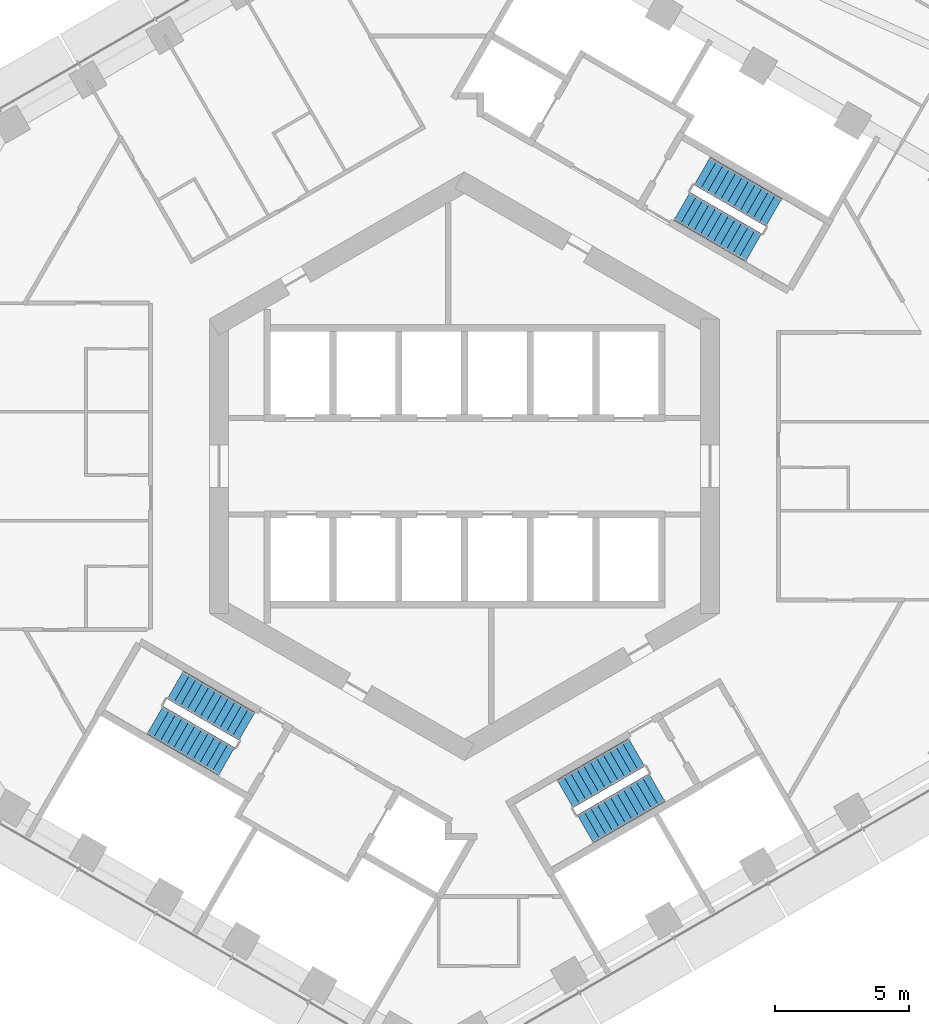
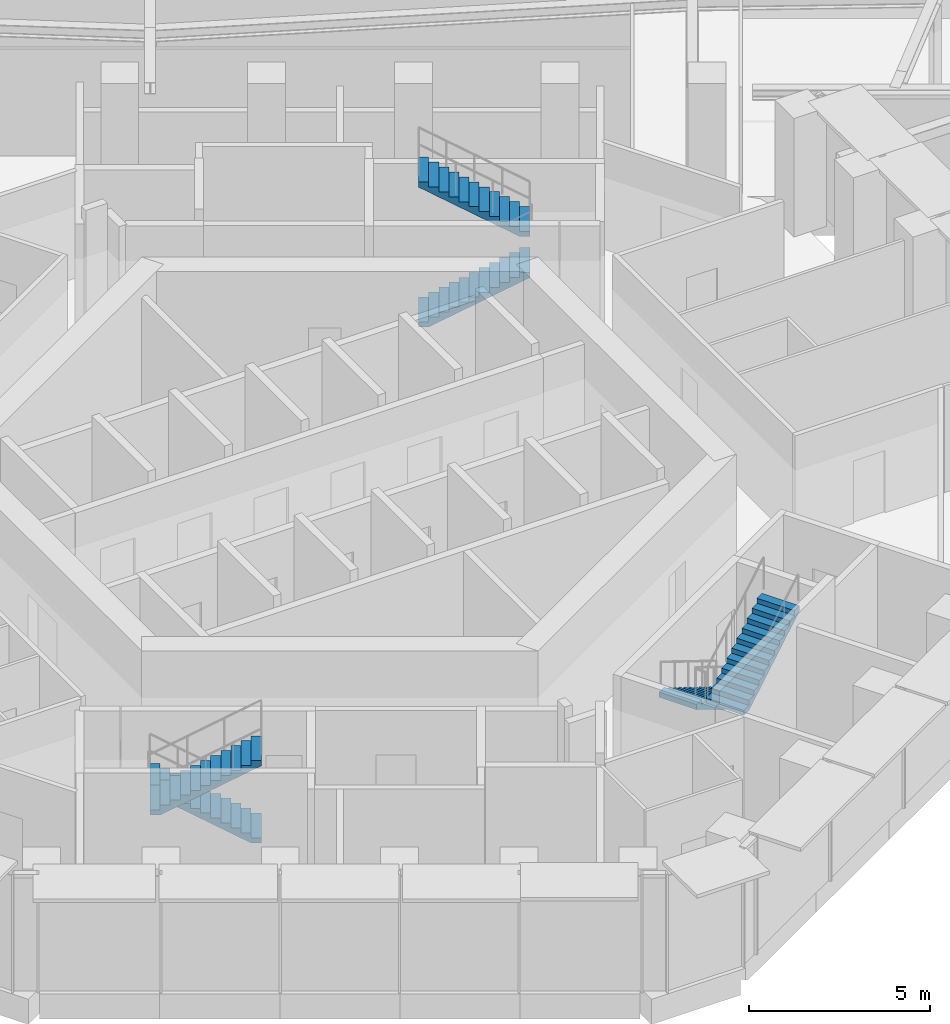
# One storey, part 26 of 28: 6 stair flights, 3 elements without a shape of their own.
"""IFC4 building model written with IfcOpenShell, lengths in metres."""

from ifc_helpers import new_model, si_unit, direction, frame, origin, place, context, subcontext, project, spatial, triangles, material, type_object, element, aggregate, save


model = new_model("IFC4")

# Units and contexts
model_context = context("Model", 3, precision=1e-05, world=origin(), true_north=direction((0.0, 1.0)))
body_context = subcontext(model_context, "Body", "Model", "MODEL_VIEW")
ifc_project = project(units=[si_unit("LENGTHUNIT", "METRE"), si_unit("AREAUNIT", "SQUARE_METRE"), si_unit("VOLUMEUNIT", "CUBIC_METRE"), si_unit("PLANEANGLEUNIT", "RADIAN"), si_unit("MASSUNIT", "GRAM", prefix="KILO")], contexts=[model_context])

# Site, building, storey
site_placement = place(None, origin())
site = spatial("IfcSite", under=ifc_project, at=site_placement, CompositionType="ELEMENT")
building_placement = place(site_placement, origin())
building = spatial("IfcBuilding", under=site, at=building_placement, Name="Ayvan Gate Tower", CompositionType="ELEMENT")
storey_placement = place(building_placement, frame((0.0, 0.0, 143.89990234375)))
storey = spatial("IfcBuildingStorey", under=building, at=storey_placement, Name="L38", CompositionType="ELEMENT", Elevation=143.89990234375)

# Stair, stair flights
ifc_material = material(Name="Concrete C40/50", Category="concrete")
stair_type = type_object("IfcStairType", Name="ST-EXIT", PredefinedType="HALF_TURN_STAIR", material=ifc_material)
stair_1_placement = place(storey_placement, origin())
stair_1 = element("IfcStair", 1, at=stair_1_placement, inside=storey, type_object=stair_type, Name="L38 Exit Stair S1", PredefinedType="HALF_TURN_STAIR")
stair_flight_type = type_object("IfcStairFlightType", Name="SFL-EXIT", PredefinedType="STRAIGHT", material=ifc_material)
stair_flight_1_placement = place(storey_placement, frame((8.106201171875, 9.690185546875, 0.0), z_axis=(0.0, 0.0, 1.0), x_axis=(0.866025403784, -0.5, 0.0)))
stair_flight_1 = element("IfcStairFlight", 2, at=stair_flight_1_placement, type_object=stair_flight_type, Name="STS1 flight 1", NumberOfRisers=12, NumberOfTreads=11, PredefinedType="STRAIGHT", RiserHeight=0.166666667, TreadLength=0.28, context=body_context, shape_type="Tessellation", body=[
    triangles([(0.293073, -0.599976, 0.0), (3.0805, -0.599976, 1.659182), (3.0805, -0.599976, 1.833333), (2.8, -0.599976, 1.833333), (2.8, -0.599976, 1.666667), (2.52, -0.599976, 1.666667), (2.52, -0.599976, 1.5), (2.24, -0.599976, 1.5), (2.24, -0.599976, 1.333333), (1.96, -0.599976, 1.333333), (1.96, -0.599976, 1.166667), (1.68, -0.599976, 1.166667), (1.68, -0.599976, 1.0), (1.4, -0.599976, 1.0), (1.4, -0.599976, 0.833333), (1.12, -0.599976, 0.833333), (1.12, -0.599976, 0.666667), (0.84, -0.599976, 0.666667), (0.84, -0.599976, 0.5), (0.56, -0.599976, 0.5), (0.56, -0.599976, 0.333333), (0.28, -0.599976, 0.333333), (0.28, -0.599976, 0.166667), (-0.0005, -0.599976, 0.166667), (-0.0005, -0.599976, 0.0), (0.293073, 0.0, 0.0), (3.0805, 0.0, 1.659182), (3.0805, 0.0, 1.833333), (2.8, 0.0, 1.833333), (2.8, 0.0, 1.666667), (2.52, 0.0, 1.666667), (2.52, 0.0, 1.5), (2.24, 0.0, 1.5), (2.24, 0.0, 1.333333), (1.96, 0.0, 1.333333), (1.96, 0.0, 1.166667), (1.68, 0.0, 1.166667), (1.68, 0.0, 1.0), (1.4, 0.0, 1.0), (1.4, 0.0, 0.833333), (1.12, 0.0, 0.833333), (1.12, 0.0, 0.666667), (0.84, 0.0, 0.666667), (0.84, 0.0, 0.5), (0.56, 0.0, 0.5), (0.56, 0.0, 0.333333), (0.28, 0.0, 0.333333), (0.28, 0.0, 0.166667), (-0.0005, 0.0, 0.166667), (-0.0005, 0.0, 0.0), (0.293073, 0.599976, 0.0), (3.0805, 0.599976, 1.659182), (3.0805, 0.599976, 1.833333), (2.8, 0.599976, 1.833333), (2.8, 0.599976, 1.666667), (2.52, 0.599976, 1.666667), (2.52, 0.599976, 1.5), (2.24, 0.599976, 1.5), (2.24, 0.599976, 1.333333), (1.96, 0.599976, 1.333333), (1.96, 0.599976, 1.166667), (1.68, 0.599976, 1.166667), (1.68, 0.599976, 1.0), (1.4, 0.599976, 1.0), (1.4, 0.599976, 0.833333), (1.12, 0.599976, 0.833333), (1.12, 0.599976, 0.666667), (0.84, 0.599976, 0.666667), (0.84, 0.599976, 0.5), (0.56, 0.599976, 0.5), (0.56, 0.599976, 0.333333), (0.28, 0.599976, 0.333333), (0.28, 0.599976, 0.166667), (-0.0005, 0.599976, 0.166667), (-0.0005, 0.599976, 0.0)], [[25, 1, 2], [75, 52, 51], [2, 3, 4], [52, 54, 53], [2, 4, 5], [52, 55, 54], [2, 5, 6], [52, 56, 55], [2, 6, 7], [52, 57, 56], [7, 8, 9], [57, 59, 58], [2, 7, 9], [52, 59, 57], [9, 10, 11], [59, 61, 60], [2, 9, 11], [52, 61, 59], [11, 12, 13], [61, 63, 62], [2, 11, 13], [52, 63, 61], [13, 14, 15], [63, 65, 64], [2, 13, 15], [52, 65, 63], [15, 16, 17], [65, 67, 66], [2, 15, 17], [52, 67, 65], [17, 18, 19], [67, 69, 68], [2, 17, 19], [52, 69, 67], [19, 20, 21], [69, 71, 70], [2, 19, 21], [52, 71, 69], [21, 22, 23], [71, 73, 72], [2, 21, 23], [52, 73, 71], [25, 2, 23], [75, 73, 52], [23, 24, 25], [73, 75, 74], [1, 26, 27], [1, 27, 2], [51, 27, 26], [51, 52, 27], [2, 27, 28], [2, 28, 3], [52, 28, 27], [52, 53, 28], [3, 28, 29], [3, 29, 4], [53, 29, 28], [53, 54, 29], [4, 29, 30], [4, 30, 5], [54, 30, 29], [54, 55, 30], [5, 30, 31], [5, 31, 6], [55, 31, 30], [55, 56, 31], [6, 31, 32], [6, 32, 7], [56, 32, 31], [56, 57, 32], [7, 32, 33], [7, 33, 8], [57, 33, 32], [57, 58, 33], [8, 33, 34], [8, 34, 9], [58, 34, 33], [58, 59, 34], [9, 34, 35], [9, 35, 10], [59, 35, 34], [59, 60, 35], [10, 35, 36], [10, 36, 11], [60, 36, 35], [60, 61, 36], [11, 36, 37], [11, 37, 12], [61, 37, 36], [61, 62, 37], [12, 37, 38], [12, 38, 13], [62, 38, 37], [62, 63, 38], [13, 38, 39], [13, 39, 14], [63, 39, 38], [63, 64, 39], [14, 39, 40], [14, 40, 15], [64, 40, 39], [64, 65, 40], [15, 40, 41], [15, 41, 16], [65, 41, 40], [65, 66, 41], [16, 41, 42], [16, 42, 17], [66, 42, 41], [66, 67, 42], [17, 42, 43], [17, 43, 18], [67, 43, 42], [67, 68, 43], [18, 43, 44], [18, 44, 19], [68, 44, 43], [68, 69, 44], [19, 44, 45], [19, 45, 20], [69, 45, 44], [69, 70, 45], [20, 45, 46], [20, 46, 21], [70, 46, 45], [70, 71, 46], [21, 46, 47], [21, 47, 22], [71, 47, 46], [71, 72, 47], [22, 47, 48], [22, 48, 23], [72, 48, 47], [72, 73, 48], [23, 48, 49], [23, 49, 24], [73, 49, 48], [73, 74, 49], [24, 49, 50], [24, 50, 25], [74, 50, 49], [74, 75, 50], [25, 50, 26], [25, 26, 1], [75, 26, 50], [75, 51, 26]], closed=True),
])
stair_flight_2_placement = place(storey_placement, frame((11.528564453125, 9.457763671875, 2.0), z_axis=(0.0, 0.0, 1.0), x_axis=(-0.866025403784, 0.5, 0.0)))
stair_flight_2 = element("IfcStairFlight", 3, at=stair_flight_2_placement, type_object=stair_flight_type, Name="STS1 flight 2", NumberOfRisers=12, NumberOfTreads=11, PredefinedType="STRAIGHT", RiserHeight=0.166666667, TreadLength=0.28, context=body_context, shape_type="Tessellation", body=[
    triangles([(0.293073, -0.599976, 0.0), (3.0805, -0.599976, 1.659182), (3.0805, -0.599976, 1.833333), (2.8, -0.599976, 1.833333), (2.8, -0.599976, 1.666667), (2.52, -0.599976, 1.666667), (2.52, -0.599976, 1.5), (2.24, -0.599976, 1.5), (2.24, -0.599976, 1.333333), (1.96, -0.599976, 1.333333), (1.96, -0.599976, 1.166667), (1.68, -0.599976, 1.166667), (1.68, -0.599976, 1.0), (1.4, -0.599976, 1.0), (1.4, -0.599976, 0.833333), (1.12, -0.599976, 0.833333), (1.12, -0.599976, 0.666667), (0.84, -0.599976, 0.666667), (0.84, -0.599976, 0.5), (0.56, -0.599976, 0.5), (0.56, -0.599976, 0.333333), (0.28, -0.599976, 0.333333), (0.28, -0.599976, 0.166667), (-0.0005, -0.599976, 0.166667), (-0.0005, -0.599976, 0.0), (0.293073, 0.0, 0.0), (3.0805, 0.0, 1.659182), (3.0805, 0.0, 1.833333), (2.8, 0.0, 1.833333), (2.8, 0.0, 1.666667), (2.52, 0.0, 1.666667), (2.52, 0.0, 1.5), (2.24, 0.0, 1.5), (2.24, 0.0, 1.333333), (1.96, 0.0, 1.333333), (1.96, 0.0, 1.166667), (1.68, 0.0, 1.166667), (1.68, 0.0, 1.0), (1.4, 0.0, 1.0), (1.4, 0.0, 0.833333), (1.12, 0.0, 0.833333), (1.12, 0.0, 0.666667), (0.84, 0.0, 0.666667), (0.84, 0.0, 0.5), (0.56, 0.0, 0.5), (0.56, 0.0, 0.333333), (0.28, 0.0, 0.333333), (0.28, 0.0, 0.166667), (-0.0005, 0.0, 0.166667), (-0.0005, 0.0, 0.0), (0.293073, 0.599976, 0.0), (3.0805, 0.599976, 1.659182), (3.0805, 0.599976, 1.833333), (2.8, 0.599976, 1.833333), (2.8, 0.599976, 1.666667), (2.52, 0.599976, 1.666667), (2.52, 0.599976, 1.5), (2.24, 0.599976, 1.5), (2.24, 0.599976, 1.333333), (1.96, 0.599976, 1.333333), (1.96, 0.599976, 1.166667), (1.68, 0.599976, 1.166667), (1.68, 0.599976, 1.0), (1.4, 0.599976, 1.0), (1.4, 0.599976, 0.833333), (1.12, 0.599976, 0.833333), (1.12, 0.599976, 0.666667), (0.84, 0.599976, 0.666667), (0.84, 0.599976, 0.5), (0.56, 0.599976, 0.5), (0.56, 0.599976, 0.333333), (0.28, 0.599976, 0.333333), (0.28, 0.599976, 0.166667), (-0.0005, 0.599976, 0.166667), (-0.0005, 0.599976, 0.0)], [[25, 1, 2], [75, 52, 51], [2, 3, 4], [52, 54, 53], [2, 4, 5], [52, 55, 54], [2, 5, 6], [52, 56, 55], [2, 6, 7], [52, 57, 56], [7, 8, 9], [57, 59, 58], [2, 7, 9], [52, 59, 57], [9, 10, 11], [59, 61, 60], [2, 9, 11], [52, 61, 59], [11, 12, 13], [61, 63, 62], [2, 11, 13], [52, 63, 61], [13, 14, 15], [63, 65, 64], [2, 13, 15], [52, 65, 63], [15, 16, 17], [65, 67, 66], [2, 15, 17], [52, 67, 65], [17, 18, 19], [67, 69, 68], [2, 17, 19], [52, 69, 67], [19, 20, 21], [69, 71, 70], [2, 19, 21], [52, 71, 69], [21, 22, 23], [71, 73, 72], [2, 21, 23], [52, 73, 71], [25, 2, 23], [75, 73, 52], [23, 24, 25], [73, 75, 74], [1, 26, 27], [1, 27, 2], [51, 27, 26], [51, 52, 27], [2, 27, 28], [2, 28, 3], [52, 28, 27], [52, 53, 28], [3, 28, 29], [3, 29, 4], [53, 29, 28], [53, 54, 29], [4, 29, 30], [4, 30, 5], [54, 30, 29], [54, 55, 30], [5, 30, 31], [5, 31, 6], [55, 31, 30], [55, 56, 31], [6, 31, 32], [6, 32, 7], [56, 32, 31], [56, 57, 32], [7, 32, 33], [7, 33, 8], [57, 33, 32], [57, 58, 33], [8, 33, 34], [8, 34, 9], [58, 34, 33], [58, 59, 34], [9, 34, 35], [9, 35, 10], [59, 35, 34], [59, 60, 35], [10, 35, 36], [10, 36, 11], [60, 36, 35], [60, 61, 36], [11, 36, 37], [11, 37, 12], [61, 37, 36], [61, 62, 37], [12, 37, 38], [12, 38, 13], [62, 38, 37], [62, 63, 38], [13, 38, 39], [13, 39, 14], [63, 39, 38], [63, 64, 39], [14, 39, 40], [14, 40, 15], [64, 40, 39], [64, 65, 40], [15, 40, 41], [15, 41, 16], [65, 41, 40], [65, 66, 41], [16, 41, 42], [16, 42, 17], [66, 42, 41], [66, 67, 42], [17, 42, 43], [17, 43, 18], [67, 43, 42], [67, 68, 43], [18, 43, 44], [18, 44, 19], [68, 44, 43], [68, 69, 44], [19, 44, 45], [19, 45, 20], [69, 45, 44], [69, 70, 45], [20, 45, 46], [20, 46, 21], [70, 46, 45], [70, 71, 46], [21, 46, 47], [21, 47, 22], [71, 47, 46], [71, 72, 47], [22, 47, 48], [22, 48, 23], [72, 48, 47], [72, 73, 48], [23, 48, 49], [23, 49, 24], [73, 49, 48], [73, 74, 49], [24, 49, 50], [24, 50, 25], [74, 50, 49], [74, 75, 50], [25, 50, 26], [25, 26, 1], [75, 26, 50], [75, 51, 26]], closed=True),
])
aggregate(stair_1, [stair_flight_1, stair_flight_2])

stair_2_placement = place(storey_placement, origin())
stair_2 = element("IfcStair", 4, at=stair_2_placement, inside=storey, type_object=stair_type, Name="L38 Exit Stair S2", PredefinedType="HALF_TURN_STAIR")
stair_flight_3_placement = place(storey_placement, frame((-8.106201171875, -9.690185546875, 0.0), z_axis=(0.0, 0.0, 1.0), x_axis=(-0.866025403784, 0.5, 0.0)))
stair_flight_3 = element("IfcStairFlight", 5, at=stair_flight_3_placement, type_object=stair_flight_type, Name="STS2 flight 1", NumberOfRisers=12, NumberOfTreads=11, PredefinedType="STRAIGHT", RiserHeight=0.166666667, TreadLength=0.28, context=body_context, shape_type="Tessellation", body=[
    triangles([(0.293073, -0.599976, 0.0), (3.0805, -0.599976, 1.659182), (3.0805, -0.599976, 1.833333), (2.8, -0.599976, 1.833333), (2.8, -0.599976, 1.666667), (2.52, -0.599976, 1.666667), (2.52, -0.599976, 1.5), (2.24, -0.599976, 1.5), (2.24, -0.599976, 1.333333), (1.96, -0.599976, 1.333333), (1.96, -0.599976, 1.166667), (1.68, -0.599976, 1.166667), (1.68, -0.599976, 1.0), (1.4, -0.599976, 1.0), (1.4, -0.599976, 0.833333), (1.12, -0.599976, 0.833333), (1.12, -0.599976, 0.666667), (0.84, -0.599976, 0.666667), (0.84, -0.599976, 0.5), (0.56, -0.599976, 0.5), (0.56, -0.599976, 0.333333), (0.28, -0.599976, 0.333333), (0.28, -0.599976, 0.166667), (-0.0005, -0.599976, 0.166667), (-0.0005, -0.599976, 0.0), (0.293073, 0.0, 0.0), (3.0805, 0.0, 1.659182), (3.0805, 0.0, 1.833333), (2.8, 0.0, 1.833333), (2.8, 0.0, 1.666667), (2.52, 0.0, 1.666667), (2.52, 0.0, 1.5), (2.24, 0.0, 1.5), (2.24, 0.0, 1.333333), (1.96, 0.0, 1.333333), (1.96, 0.0, 1.166667), (1.68, 0.0, 1.166667), (1.68, 0.0, 1.0), (1.4, 0.0, 1.0), (1.4, 0.0, 0.833333), (1.12, 0.0, 0.833333), (1.12, 0.0, 0.666667), (0.84, 0.0, 0.666667), (0.84, 0.0, 0.5), (0.56, 0.0, 0.5), (0.56, 0.0, 0.333333), (0.28, 0.0, 0.333333), (0.28, 0.0, 0.166667), (-0.0005, 0.0, 0.166667), (-0.0005, 0.0, 0.0), (0.293073, 0.599976, 0.0), (3.0805, 0.599976, 1.659182), (3.0805, 0.599976, 1.833333), (2.8, 0.599976, 1.833333), (2.8, 0.599976, 1.666667), (2.52, 0.599976, 1.666667), (2.52, 0.599976, 1.5), (2.24, 0.599976, 1.5), (2.24, 0.599976, 1.333333), (1.96, 0.599976, 1.333333), (1.96, 0.599976, 1.166667), (1.68, 0.599976, 1.166667), (1.68, 0.599976, 1.0), (1.4, 0.599976, 1.0), (1.4, 0.599976, 0.833333), (1.12, 0.599976, 0.833333), (1.12, 0.599976, 0.666667), (0.84, 0.599976, 0.666667), (0.84, 0.599976, 0.5), (0.56, 0.599976, 0.5), (0.56, 0.599976, 0.333333), (0.28, 0.599976, 0.333333), (0.28, 0.599976, 0.166667), (-0.0005, 0.599976, 0.166667), (-0.0005, 0.599976, 0.0)], [[25, 1, 2], [75, 52, 51], [2, 3, 4], [52, 54, 53], [2, 4, 5], [52, 55, 54], [2, 5, 6], [52, 56, 55], [2, 6, 7], [52, 57, 56], [7, 8, 9], [57, 59, 58], [2, 7, 9], [52, 59, 57], [9, 10, 11], [59, 61, 60], [2, 9, 11], [52, 61, 59], [11, 12, 13], [61, 63, 62], [2, 11, 13], [52, 63, 61], [13, 14, 15], [63, 65, 64], [2, 13, 15], [52, 65, 63], [15, 16, 17], [65, 67, 66], [2, 15, 17], [52, 67, 65], [17, 18, 19], [67, 69, 68], [2, 17, 19], [52, 69, 67], [19, 20, 21], [69, 71, 70], [2, 19, 21], [52, 71, 69], [21, 22, 23], [71, 73, 72], [2, 21, 23], [52, 73, 71], [25, 2, 23], [75, 73, 52], [23, 24, 25], [73, 75, 74], [1, 26, 27], [1, 27, 2], [51, 27, 26], [51, 52, 27], [2, 27, 28], [2, 28, 3], [52, 28, 27], [52, 53, 28], [3, 28, 29], [3, 29, 4], [53, 29, 28], [53, 54, 29], [4, 29, 30], [4, 30, 5], [54, 30, 29], [54, 55, 30], [5, 30, 31], [5, 31, 6], [55, 31, 30], [55, 56, 31], [6, 31, 32], [6, 32, 7], [56, 32, 31], [56, 57, 32], [7, 32, 33], [7, 33, 8], [57, 33, 32], [57, 58, 33], [8, 33, 34], [8, 34, 9], [58, 34, 33], [58, 59, 34], [9, 34, 35], [9, 35, 10], [59, 35, 34], [59, 60, 35], [10, 35, 36], [10, 36, 11], [60, 36, 35], [60, 61, 36], [11, 36, 37], [11, 37, 12], [61, 37, 36], [61, 62, 37], [12, 37, 38], [12, 38, 13], [62, 38, 37], [62, 63, 38], [13, 38, 39], [13, 39, 14], [63, 39, 38], [63, 64, 39], [14, 39, 40], [14, 40, 15], [64, 40, 39], [64, 65, 40], [15, 40, 41], [15, 41, 16], [65, 41, 40], [65, 66, 41], [16, 41, 42], [16, 42, 17], [66, 42, 41], [66, 67, 42], [17, 42, 43], [17, 43, 18], [67, 43, 42], [67, 68, 43], [18, 43, 44], [18, 44, 19], [68, 44, 43], [68, 69, 44], [19, 44, 45], [19, 45, 20], [69, 45, 44], [69, 70, 45], [20, 45, 46], [20, 46, 21], [70, 46, 45], [70, 71, 46], [21, 46, 47], [21, 47, 22], [71, 47, 46], [71, 72, 47], [22, 47, 48], [22, 48, 23], [72, 48, 47], [72, 73, 48], [23, 48, 49], [23, 49, 24], [73, 49, 48], [73, 74, 49], [24, 49, 50], [24, 50, 25], [74, 50, 49], [74, 75, 50], [25, 50, 26], [25, 26, 1], [75, 26, 50], [75, 51, 26]], closed=True),
])
stair_flight_4_placement = place(storey_placement, frame((-11.528564453125, -9.457763671875, 2.0), z_axis=(0.0, 0.0, 1.0), x_axis=(0.866025403784, -0.5, 0.0)))
stair_flight_4 = element("IfcStairFlight", 6, at=stair_flight_4_placement, type_object=stair_flight_type, Name="STS2 flight 2", NumberOfRisers=12, NumberOfTreads=11, PredefinedType="STRAIGHT", RiserHeight=0.166666667, TreadLength=0.28, context=body_context, shape_type="Tessellation", body=[
    triangles([(0.293073, -0.599976, 0.0), (3.0805, -0.599976, 1.659182), (3.0805, -0.599976, 1.833333), (2.8, -0.599976, 1.833333), (2.8, -0.599976, 1.666667), (2.52, -0.599976, 1.666667), (2.52, -0.599976, 1.5), (2.24, -0.599976, 1.5), (2.24, -0.599976, 1.333333), (1.96, -0.599976, 1.333333), (1.96, -0.599976, 1.166667), (1.68, -0.599976, 1.166667), (1.68, -0.599976, 1.0), (1.4, -0.599976, 1.0), (1.4, -0.599976, 0.833333), (1.12, -0.599976, 0.833333), (1.12, -0.599976, 0.666667), (0.84, -0.599976, 0.666667), (0.84, -0.599976, 0.5), (0.56, -0.599976, 0.5), (0.56, -0.599976, 0.333333), (0.28, -0.599976, 0.333333), (0.28, -0.599976, 0.166667), (-0.0005, -0.599976, 0.166667), (-0.0005, -0.599976, 0.0), (0.293073, 0.0, 0.0), (3.0805, 0.0, 1.659182), (3.0805, 0.0, 1.833333), (2.8, 0.0, 1.833333), (2.8, 0.0, 1.666667), (2.52, 0.0, 1.666667), (2.52, 0.0, 1.5), (2.24, 0.0, 1.5), (2.24, 0.0, 1.333333), (1.96, 0.0, 1.333333), (1.96, 0.0, 1.166667), (1.68, 0.0, 1.166667), (1.68, 0.0, 1.0), (1.4, 0.0, 1.0), (1.4, 0.0, 0.833333), (1.12, 0.0, 0.833333), (1.12, 0.0, 0.666667), (0.84, 0.0, 0.666667), (0.84, 0.0, 0.5), (0.56, 0.0, 0.5), (0.56, 0.0, 0.333333), (0.28, 0.0, 0.333333), (0.28, 0.0, 0.166667), (-0.0005, 0.0, 0.166667), (-0.0005, 0.0, 0.0), (0.293073, 0.599976, 0.0), (3.0805, 0.599976, 1.659182), (3.0805, 0.599976, 1.833333), (2.8, 0.599976, 1.833333), (2.8, 0.599976, 1.666667), (2.52, 0.599976, 1.666667), (2.52, 0.599976, 1.5), (2.24, 0.599976, 1.5), (2.24, 0.599976, 1.333333), (1.96, 0.599976, 1.333333), (1.96, 0.599976, 1.166667), (1.68, 0.599976, 1.166667), (1.68, 0.599976, 1.0), (1.4, 0.599976, 1.0), (1.4, 0.599976, 0.833333), (1.12, 0.599976, 0.833333), (1.12, 0.599976, 0.666667), (0.84, 0.599976, 0.666667), (0.84, 0.599976, 0.5), (0.56, 0.599976, 0.5), (0.56, 0.599976, 0.333333), (0.28, 0.599976, 0.333333), (0.28, 0.599976, 0.166667), (-0.0005, 0.599976, 0.166667), (-0.0005, 0.599976, 0.0)], [[25, 1, 2], [75, 52, 51], [2, 3, 4], [52, 54, 53], [2, 4, 5], [52, 55, 54], [2, 5, 6], [52, 56, 55], [2, 6, 7], [52, 57, 56], [7, 8, 9], [57, 59, 58], [2, 7, 9], [52, 59, 57], [9, 10, 11], [59, 61, 60], [2, 9, 11], [52, 61, 59], [11, 12, 13], [61, 63, 62], [2, 11, 13], [52, 63, 61], [13, 14, 15], [63, 65, 64], [2, 13, 15], [52, 65, 63], [15, 16, 17], [65, 67, 66], [2, 15, 17], [52, 67, 65], [17, 18, 19], [67, 69, 68], [2, 17, 19], [52, 69, 67], [19, 20, 21], [69, 71, 70], [2, 19, 21], [52, 71, 69], [21, 22, 23], [71, 73, 72], [2, 21, 23], [52, 73, 71], [25, 2, 23], [75, 73, 52], [23, 24, 25], [73, 75, 74], [1, 26, 27], [1, 27, 2], [51, 27, 26], [51, 52, 27], [2, 27, 28], [2, 28, 3], [52, 28, 27], [52, 53, 28], [3, 28, 29], [3, 29, 4], [53, 29, 28], [53, 54, 29], [4, 29, 30], [4, 30, 5], [54, 30, 29], [54, 55, 30], [5, 30, 31], [5, 31, 6], [55, 31, 30], [55, 56, 31], [6, 31, 32], [6, 32, 7], [56, 32, 31], [56, 57, 32], [7, 32, 33], [7, 33, 8], [57, 33, 32], [57, 58, 33], [8, 33, 34], [8, 34, 9], [58, 34, 33], [58, 59, 34], [9, 34, 35], [9, 35, 10], [59, 35, 34], [59, 60, 35], [10, 35, 36], [10, 36, 11], [60, 36, 35], [60, 61, 36], [11, 36, 37], [11, 37, 12], [61, 37, 36], [61, 62, 37], [12, 37, 38], [12, 38, 13], [62, 38, 37], [62, 63, 38], [13, 38, 39], [13, 39, 14], [63, 39, 38], [63, 64, 39], [14, 39, 40], [14, 40, 15], [64, 40, 39], [64, 65, 40], [15, 40, 41], [15, 41, 16], [65, 41, 40], [65, 66, 41], [16, 41, 42], [16, 42, 17], [66, 42, 41], [66, 67, 42], [17, 42, 43], [17, 43, 18], [67, 43, 42], [67, 68, 43], [18, 43, 44], [18, 44, 19], [68, 44, 43], [68, 69, 44], [19, 44, 45], [19, 45, 20], [69, 45, 44], [69, 70, 45], [20, 45, 46], [20, 46, 21], [70, 46, 45], [70, 71, 46], [21, 46, 47], [21, 47, 22], [71, 47, 46], [71, 72, 47], [22, 47, 48], [22, 48, 23], [72, 48, 47], [72, 73, 48], [23, 48, 49], [23, 49, 24], [73, 49, 48], [73, 74, 49], [24, 49, 50], [24, 50, 25], [74, 50, 49], [74, 75, 50], [25, 50, 26], [25, 26, 1], [75, 26, 50], [75, 51, 26]], closed=True),
])
aggregate(stair_2, [stair_flight_3, stair_flight_4])

stair_3_placement = place(storey_placement, origin())
stair_3 = element("IfcStair", 7, at=stair_3_placement, inside=storey, type_object=stair_type, Name="L38 Exit Stair S3", PredefinedType="HALF_TURN_STAIR")
stair_flight_5_placement = place(storey_placement, frame((6.417236328125, -10.665283203125, 0.0), z_axis=(0.0, 0.0, 1.0), x_axis=(-0.866025403784, -0.5, 0.0)))
stair_flight_5 = element("IfcStairFlight", 8, at=stair_flight_5_placement, type_object=stair_flight_type, Name="STS3 flight 1", NumberOfRisers=12, NumberOfTreads=11, PredefinedType="STRAIGHT", RiserHeight=0.166666667, TreadLength=0.28, context=body_context, shape_type="Tessellation", body=[
    triangles([(0.293073, -0.599976, 0.0), (3.0805, -0.599976, 1.659182), (3.0805, -0.599976, 1.833333), (2.8, -0.599976, 1.833333), (2.8, -0.599976, 1.666667), (2.52, -0.599976, 1.666667), (2.52, -0.599976, 1.5), (2.24, -0.599976, 1.5), (2.24, -0.599976, 1.333333), (1.96, -0.599976, 1.333333), (1.96, -0.599976, 1.166667), (1.68, -0.599976, 1.166667), (1.68, -0.599976, 1.0), (1.4, -0.599976, 1.0), (1.4, -0.599976, 0.833333), (1.12, -0.599976, 0.833333), (1.12, -0.599976, 0.666667), (0.84, -0.599976, 0.666667), (0.84, -0.599976, 0.5), (0.56, -0.599976, 0.5), (0.56, -0.599976, 0.333333), (0.28, -0.599976, 0.333333), (0.28, -0.599976, 0.166667), (-0.0005, -0.599976, 0.166667), (-0.0005, -0.599976, 0.0), (0.293073, 0.0, 0.0), (3.0805, 0.0, 1.659182), (3.0805, 0.0, 1.833333), (2.8, 0.0, 1.833333), (2.8, 0.0, 1.666667), (2.52, 0.0, 1.666667), (2.52, 0.0, 1.5), (2.24, 0.0, 1.5), (2.24, 0.0, 1.333333), (1.96, 0.0, 1.333333), (1.96, 0.0, 1.166667), (1.68, 0.0, 1.166667), (1.68, 0.0, 1.0), (1.4, 0.0, 1.0), (1.4, 0.0, 0.833333), (1.12, 0.0, 0.833333), (1.12, 0.0, 0.666667), (0.84, 0.0, 0.666667), (0.84, 0.0, 0.5), (0.56, 0.0, 0.5), (0.56, 0.0, 0.333333), (0.28, 0.0, 0.333333), (0.28, 0.0, 0.166667), (-0.0005, 0.0, 0.166667), (-0.0005, 0.0, 0.0), (0.293073, 0.599976, 0.0), (3.0805, 0.599976, 1.659182), (3.0805, 0.599976, 1.833333), (2.8, 0.599976, 1.833333), (2.8, 0.599976, 1.666667), (2.52, 0.599976, 1.666667), (2.52, 0.599976, 1.5), (2.24, 0.599976, 1.5), (2.24, 0.599976, 1.333333), (1.96, 0.599976, 1.333333), (1.96, 0.599976, 1.166667), (1.68, 0.599976, 1.166667), (1.68, 0.599976, 1.0), (1.4, 0.599976, 1.0), (1.4, 0.599976, 0.833333), (1.12, 0.599976, 0.833333), (1.12, 0.599976, 0.666667), (0.84, 0.599976, 0.666667), (0.84, 0.599976, 0.5), (0.56, 0.599976, 0.5), (0.56, 0.599976, 0.333333), (0.28, 0.599976, 0.333333), (0.28, 0.599976, 0.166667), (-0.0005, 0.599976, 0.166667), (-0.0005, 0.599976, 0.0)], [[25, 1, 2], [75, 52, 51], [2, 3, 4], [52, 54, 53], [2, 4, 5], [52, 55, 54], [2, 5, 6], [52, 56, 55], [2, 6, 7], [52, 57, 56], [7, 8, 9], [57, 59, 58], [2, 7, 9], [52, 59, 57], [9, 10, 11], [59, 61, 60], [2, 9, 11], [52, 61, 59], [11, 12, 13], [61, 63, 62], [2, 11, 13], [52, 63, 61], [13, 14, 15], [63, 65, 64], [2, 13, 15], [52, 65, 63], [15, 16, 17], [65, 67, 66], [2, 15, 17], [52, 67, 65], [17, 18, 19], [67, 69, 68], [2, 17, 19], [52, 69, 67], [19, 20, 21], [69, 71, 70], [2, 19, 21], [52, 71, 69], [21, 22, 23], [71, 73, 72], [2, 21, 23], [52, 73, 71], [25, 2, 23], [75, 73, 52], [23, 24, 25], [73, 75, 74], [1, 26, 27], [1, 27, 2], [51, 27, 26], [51, 52, 27], [2, 27, 28], [2, 28, 3], [52, 28, 27], [52, 53, 28], [3, 28, 29], [3, 29, 4], [53, 29, 28], [53, 54, 29], [4, 29, 30], [4, 30, 5], [54, 30, 29], [54, 55, 30], [5, 30, 31], [5, 31, 6], [55, 31, 30], [55, 56, 31], [6, 31, 32], [6, 32, 7], [56, 32, 31], [56, 57, 32], [7, 32, 33], [7, 33, 8], [57, 33, 32], [57, 58, 33], [8, 33, 34], [8, 34, 9], [58, 34, 33], [58, 59, 34], [9, 34, 35], [9, 35, 10], [59, 35, 34], [59, 60, 35], [10, 35, 36], [10, 36, 11], [60, 36, 35], [60, 61, 36], [11, 36, 37], [11, 37, 12], [61, 37, 36], [61, 62, 37], [12, 37, 38], [12, 38, 13], [62, 38, 37], [62, 63, 38], [13, 38, 39], [13, 39, 14], [63, 39, 38], [63, 64, 39], [14, 39, 40], [14, 40, 15], [64, 40, 39], [64, 65, 40], [15, 40, 41], [15, 41, 16], [65, 41, 40], [65, 66, 41], [16, 41, 42], [16, 42, 17], [66, 42, 41], [66, 67, 42], [17, 42, 43], [17, 43, 18], [67, 43, 42], [67, 68, 43], [18, 43, 44], [18, 44, 19], [68, 44, 43], [68, 69, 44], [19, 44, 45], [19, 45, 20], [69, 45, 44], [69, 70, 45], [20, 45, 46], [20, 46, 21], [70, 46, 45], [70, 71, 46], [21, 46, 47], [21, 47, 22], [71, 47, 46], [71, 72, 47], [22, 47, 48], [22, 48, 23], [72, 48, 47], [72, 73, 48], [23, 48, 49], [23, 49, 24], [73, 49, 48], [73, 74, 49], [24, 49, 50], [24, 50, 25], [74, 50, 49], [74, 75, 50], [25, 50, 26], [25, 26, 1], [75, 26, 50], [75, 51, 26]], closed=True),
])
stair_flight_6_placement = place(storey_placement, frame((4.5048828125, -13.512939453125, 2.0), z_axis=(0.0, 0.0, 1.0), x_axis=(0.866025403784, 0.5, 0.0)))
stair_flight_6 = element("IfcStairFlight", 9, at=stair_flight_6_placement, type_object=stair_flight_type, Name="STS3 flight 2", NumberOfRisers=12, NumberOfTreads=11, PredefinedType="STRAIGHT", RiserHeight=0.166666667, TreadLength=0.28, context=body_context, shape_type="Tessellation", body=[
    triangles([(0.293073, -0.599976, 0.0), (3.0805, -0.599976, 1.659182), (3.0805, -0.599976, 1.833333), (2.8, -0.599976, 1.833333), (2.8, -0.599976, 1.666667), (2.52, -0.599976, 1.666667), (2.52, -0.599976, 1.5), (2.24, -0.599976, 1.5), (2.24, -0.599976, 1.333333), (1.96, -0.599976, 1.333333), (1.96, -0.599976, 1.166667), (1.68, -0.599976, 1.166667), (1.68, -0.599976, 1.0), (1.4, -0.599976, 1.0), (1.4, -0.599976, 0.833333), (1.12, -0.599976, 0.833333), (1.12, -0.599976, 0.666667), (0.84, -0.599976, 0.666667), (0.84, -0.599976, 0.5), (0.56, -0.599976, 0.5), (0.56, -0.599976, 0.333333), (0.28, -0.599976, 0.333333), (0.28, -0.599976, 0.166667), (-0.0005, -0.599976, 0.166667), (-0.0005, -0.599976, 0.0), (0.293073, 0.0, 0.0), (3.0805, 0.0, 1.659182), (3.0805, 0.0, 1.833333), (2.8, 0.0, 1.833333), (2.8, 0.0, 1.666667), (2.52, 0.0, 1.666667), (2.52, 0.0, 1.5), (2.24, 0.0, 1.5), (2.24, 0.0, 1.333333), (1.96, 0.0, 1.333333), (1.96, 0.0, 1.166667), (1.68, 0.0, 1.166667), (1.68, 0.0, 1.0), (1.4, 0.0, 1.0), (1.4, 0.0, 0.833333), (1.12, 0.0, 0.833333), (1.12, 0.0, 0.666667), (0.84, 0.0, 0.666667), (0.84, 0.0, 0.5), (0.56, 0.0, 0.5), (0.56, 0.0, 0.333333), (0.28, 0.0, 0.333333), (0.28, 0.0, 0.166667), (-0.0005, 0.0, 0.166667), (-0.0005, 0.0, 0.0), (0.293073, 0.599976, 0.0), (3.0805, 0.599976, 1.659182), (3.0805, 0.599976, 1.833333), (2.8, 0.599976, 1.833333), (2.8, 0.599976, 1.666667), (2.52, 0.599976, 1.666667), (2.52, 0.599976, 1.5), (2.24, 0.599976, 1.5), (2.24, 0.599976, 1.333333), (1.96, 0.599976, 1.333333), (1.96, 0.599976, 1.166667), (1.68, 0.599976, 1.166667), (1.68, 0.599976, 1.0), (1.4, 0.599976, 1.0), (1.4, 0.599976, 0.833333), (1.12, 0.599976, 0.833333), (1.12, 0.599976, 0.666667), (0.84, 0.599976, 0.666667), (0.84, 0.599976, 0.5), (0.56, 0.599976, 0.5), (0.56, 0.599976, 0.333333), (0.28, 0.599976, 0.333333), (0.28, 0.599976, 0.166667), (-0.0005, 0.599976, 0.166667), (-0.0005, 0.599976, 0.0)], [[25, 1, 2], [75, 52, 51], [2, 3, 4], [52, 54, 53], [2, 4, 5], [52, 55, 54], [2, 5, 6], [52, 56, 55], [2, 6, 7], [52, 57, 56], [7, 8, 9], [57, 59, 58], [2, 7, 9], [52, 59, 57], [9, 10, 11], [59, 61, 60], [2, 9, 11], [52, 61, 59], [11, 12, 13], [61, 63, 62], [2, 11, 13], [52, 63, 61], [13, 14, 15], [63, 65, 64], [2, 13, 15], [52, 65, 63], [15, 16, 17], [65, 67, 66], [2, 15, 17], [52, 67, 65], [17, 18, 19], [67, 69, 68], [2, 17, 19], [52, 69, 67], [19, 20, 21], [69, 71, 70], [2, 19, 21], [52, 71, 69], [21, 22, 23], [71, 73, 72], [2, 21, 23], [52, 73, 71], [25, 2, 23], [75, 73, 52], [23, 24, 25], [73, 75, 74], [1, 26, 27], [1, 27, 2], [51, 27, 26], [51, 52, 27], [2, 27, 28], [2, 28, 3], [52, 28, 27], [52, 53, 28], [3, 28, 29], [3, 29, 4], [53, 29, 28], [53, 54, 29], [4, 29, 30], [4, 30, 5], [54, 30, 29], [54, 55, 30], [5, 30, 31], [5, 31, 6], [55, 31, 30], [55, 56, 31], [6, 31, 32], [6, 32, 7], [56, 32, 31], [56, 57, 32], [7, 32, 33], [7, 33, 8], [57, 33, 32], [57, 58, 33], [8, 33, 34], [8, 34, 9], [58, 34, 33], [58, 59, 34], [9, 34, 35], [9, 35, 10], [59, 35, 34], [59, 60, 35], [10, 35, 36], [10, 36, 11], [60, 36, 35], [60, 61, 36], [11, 36, 37], [11, 37, 12], [61, 37, 36], [61, 62, 37], [12, 37, 38], [12, 38, 13], [62, 38, 37], [62, 63, 38], [13, 38, 39], [13, 39, 14], [63, 39, 38], [63, 64, 39], [14, 39, 40], [14, 40, 15], [64, 40, 39], [64, 65, 40], [15, 40, 41], [15, 41, 16], [65, 41, 40], [65, 66, 41], [16, 41, 42], [16, 42, 17], [66, 42, 41], [66, 67, 42], [17, 42, 43], [17, 43, 18], [67, 43, 42], [67, 68, 43], [18, 43, 44], [18, 44, 19], [68, 44, 43], [68, 69, 44], [19, 44, 45], [19, 45, 20], [69, 45, 44], [69, 70, 45], [20, 45, 46], [20, 46, 21], [70, 46, 45], [70, 71, 46], [21, 46, 47], [21, 47, 22], [71, 47, 46], [71, 72, 47], [22, 47, 48], [22, 48, 23], [72, 48, 47], [72, 73, 48], [23, 48, 49], [23, 49, 24], [73, 49, 48], [73, 74, 49], [24, 49, 50], [24, 50, 25], [74, 50, 49], [74, 75, 50], [25, 50, 26], [25, 26, 1], [75, 26, 50], [75, 51, 26]], closed=True),
])
aggregate(stair_3, [stair_flight_5, stair_flight_6])

save(model, "model.ifc")
